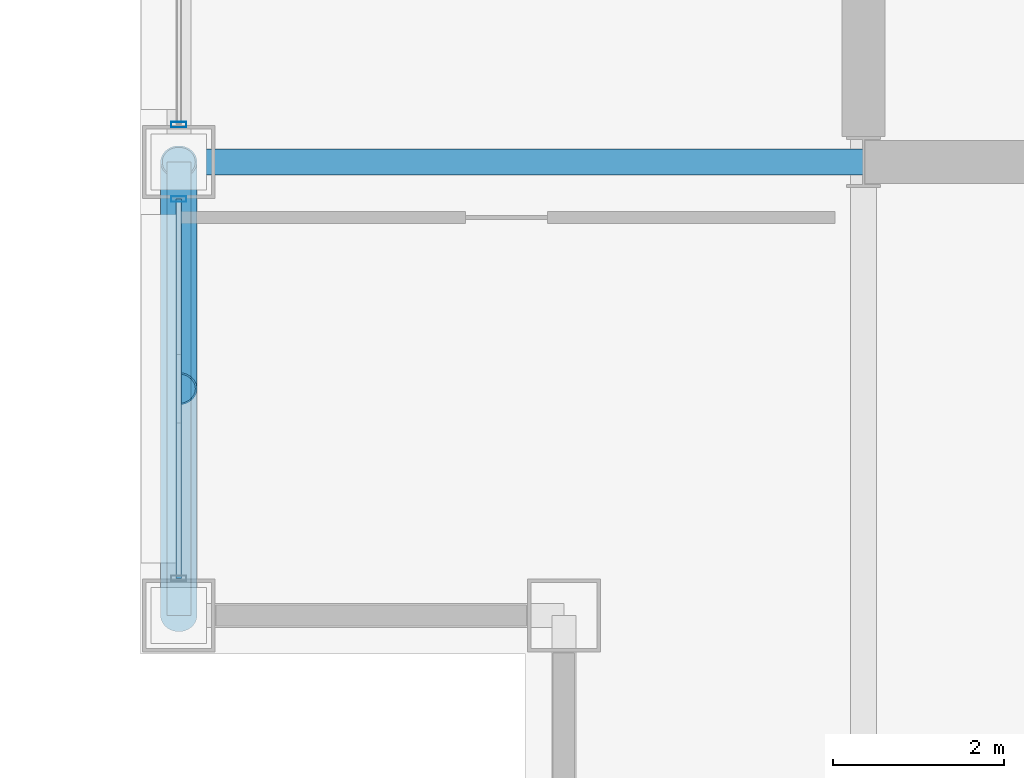
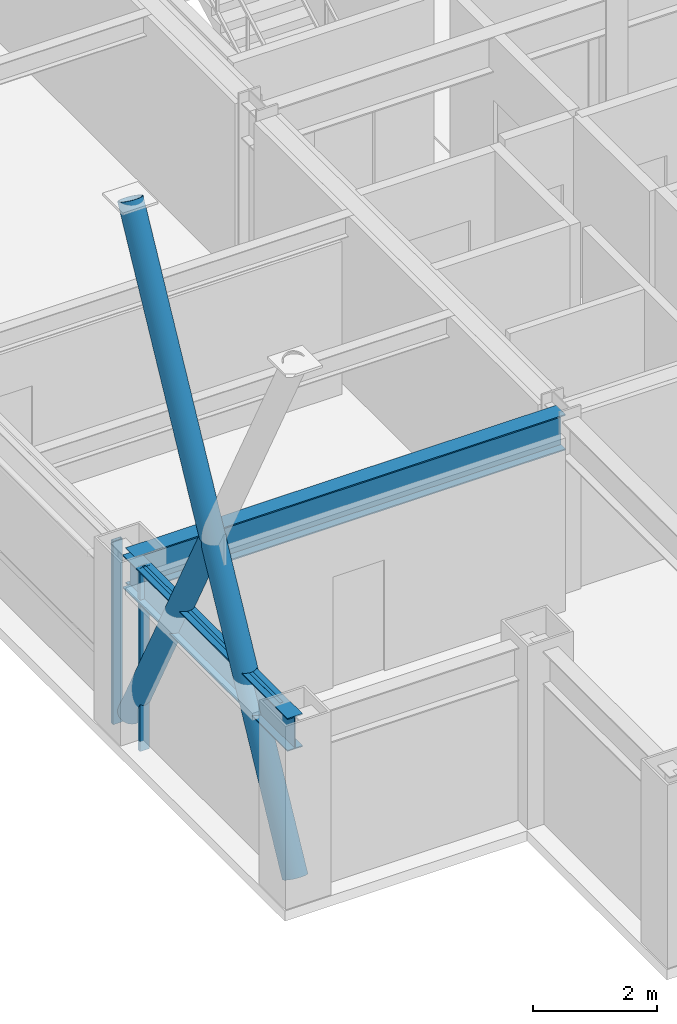
# One storey, part 4 of 34: 5 members, 2 beams, 2 elements without a shape of their own.
"""IFC4 building model written with IfcOpenShell, lengths in metres."""

from ifc_helpers import new_model, si_unit, direction, frame, origin, origin_2d, place, context, subcontext, project, spatial, hollow_rectangle, hollow_circle, i_section, extrude, material, layer, layer_set, material_profile, profile_set, type_object, element, aggregate, save


model = new_model("IFC4")

# Units and contexts
model_context = context("Model", 3, precision=1e-05, world=origin(), true_north=direction((0.0, 1.0)))
body_context = subcontext(model_context, "Body", "Model", "MODEL_VIEW")
ifc_project = project(units=[si_unit("LENGTHUNIT", "METRE"), si_unit("AREAUNIT", "SQUARE_METRE"), si_unit("VOLUMEUNIT", "CUBIC_METRE"), si_unit("PLANEANGLEUNIT", "RADIAN"), si_unit("MASSUNIT", "GRAM", prefix="KILO")], contexts=[model_context])

# Site, building, storey
site_placement = place(None, origin())
site = spatial("IfcSite", under=ifc_project, at=site_placement, CompositionType="ELEMENT")
building_placement = place(site_placement, origin())
building = spatial("IfcBuilding", under=site, at=building_placement, Name="Brelmoor Portico Tower", CompositionType="ELEMENT")
storey_placement = place(building_placement, frame((0.0, 0.0, 99.0)))
storey = spatial("IfcBuildingStorey", under=building, at=storey_placement, Name="L25", CompositionType="ELEMENT", Elevation=99.0)

# Beams
ifc_material_1 = material(Name="Steel Q355B", Category="steel")
ifc_material_profile_1 = material_profile(ifc_material_1, i_section(OverallWidth=0.300048828125, OverallDepth=0.699951171875, WebThickness=0.012939453125, FlangeThickness=0.02392578125, at=origin_2d()), Name="HN 700x300x13x24")
ifc_profile_set_1 = profile_set([ifc_material_profile_1], Name="Steel Q355B")
beam_type_1 = type_object("IfcBeamType", Name="BM-PG-700", PredefinedType="BEAM", material=ifc_profile_set_1)
beam_1_placement = place(storey_placement, frame((-22.550048828125, -9.75, 3.050048828125), z_axis=(1.0, 0.0, 0.0), x_axis=(0.0, 1.0, 0.0)))
element("IfcBeam", 1, at=beam_1_placement, inside=storey, type_object=beam_type_1, Name="L25 Primary Floor Girder PG-14", PredefinedType="BEAM", context=body_context, shape_type="SweptSolid", body=[
    extrude(i_section(OverallWidth=0.300048828125, OverallDepth=0.699951171875, WebThickness=0.012939453125, FlangeThickness=0.02392578125, at=origin_2d()), origin(), (0.0, 0.0, 1.0), 8.0),
])
ifc_material_profile_2 = material_profile(ifc_material_1, i_section(OverallWidth=0.280029296875, OverallDepth=0.64990234375, WebThickness=0.012939453125, FlangeThickness=0.02197265625, at=origin_2d()), Name="HN 650x280x13x22")
ifc_profile_set_2 = profile_set([ifc_material_profile_2], Name="Steel Q355B")
beam_type_2 = type_object("IfcBeamType", Name="BM-SP-650", PredefinedType="SPANDREL", material=ifc_profile_set_2)
beam_2_placement = place(storey_placement, frame((-22.550048828125, -15.050048828125, 3.074951171875), z_axis=(0.0, 1.0, 0.0), x_axis=(-1.0, 0.0, 0.0)))
element("IfcBeam", 2, at=beam_2_placement, inside=storey, type_object=beam_type_2, Name="L25 Perimeter Spandrel Beam SP-15", PredefinedType="SPANDREL", context=body_context, shape_type="SweptSolid", body=[
    extrude(i_section(OverallWidth=0.280029296875, OverallDepth=0.64990234375, WebThickness=0.012939453125, FlangeThickness=0.02197265625, at=origin_2d()), origin(), (0.0, 0.0, 1.0), 5.300048828125),
])

# Members
ifc_material_profile_3 = material_profile(ifc_material_1, hollow_circle(Radius=0.212890625, WallThickness=0.02001953125, at=origin_2d()), Name="CHS 426x20")
ifc_profile_set_3 = profile_set([ifc_material_profile_3], Name="Steel Q355B")
member_type_1 = type_object("IfcMemberType", Name="MB-BELT-DIAG1", PredefinedType="BRACE", material=ifc_profile_set_3)
member_1_placement = place(storey_placement, frame((-22.550048828125, -15.050048828125, 0.25), z_axis=(0.0, 0.464661902242, 0.885488179822), x_axis=(-1.0, 0.0, 0.0)))
element("IfcMember", 3, at=member_1_placement, inside=storey, type_object=member_type_1, Name="L25 Continuous Mega-X Brace 054A", PredefinedType="BRACE", context=body_context, shape_type="SweptSolid", body=[
    extrude(hollow_circle(Radius=0.212890625, WallThickness=0.02001953125, at=origin_2d()), origin(), (0.0, 0.0, 1.0), 11.40625),
])
member_2_placement = place(storey_placement, frame((-22.550048828125, -9.75, 0.25), z_axis=(0.0, -0.464645119255, 0.885496986529), x_axis=(1.0, 0.0, 0.0)))
element("IfcMember", 4, at=member_2_placement, inside=storey, type_object=member_type_1, Name="L25 Split Mega-X Brace 054B1", PredefinedType="BRACE", context=body_context, shape_type="SweptSolid", body=[
    extrude(hollow_circle(Radius=0.212890625, WallThickness=0.02001953125, at=origin_2d()), origin(), (0.0, 0.0, 1.0), 5.703125),
])

# Curtain wall, member
ifc_material_2 = material(Name="Anodised Aluminium Alloy 6063-T6", Category="aluminium")
ifc_layer_1 = layer(ifc_material_2, 0.179931640625)
ifc_layer_set_1 = layer_set([ifc_layer_1], Name="Anodised Aluminium Alloy 6063-T6")
curtain_wall_type_1 = type_object("IfcCurtainWallType", Name="CW-TOWER-Z2-XB", PredefinedType="NOTDEFINED", material=ifc_layer_set_1)
curtain_wall_1_placement = place(storey_placement, origin())
curtain_wall_1 = element("IfcCurtainWall", 5, at=curtain_wall_1_placement, inside=storey, type_object=curtain_wall_type_1, Name="L25 Curtain Wall CW-L25-3L-1", PredefinedType="NOTDEFINED")
ifc_material_profile_4 = material_profile(ifc_material_2, hollow_rectangle(XDim=0.06494140625, YDim=0.179931640625, WallThickness=0.00390625, at=origin_2d()), Name="ALU MULLION 65x180")
ifc_profile_set_4 = profile_set([ifc_material_profile_4], Name="Anodised Aluminium Alloy 6063-T6")
member_type_2 = type_object("IfcMemberType", Name="MB-CW-MULL-180", PredefinedType="MULLION", material=ifc_profile_set_4)
member_3_placement = place(storey_placement, frame((-22.550048828125, -10.18505859375, -0.199951171875), z_axis=(0.0, 0.0, 1.0), x_axis=(0.0, 1.0, 0.0)))
member_3 = element("IfcMember", 6, at=member_3_placement, type_object=member_type_2, Name="CW-L25-3L-1 Mullion 01", PredefinedType="MULLION", context=body_context, shape_type="SweptSolid", body=[
    extrude(hollow_rectangle(XDim=0.06494140625, YDim=0.179931640625, WallThickness=0.00390625, at=origin_2d()), origin(), (0.0, 0.0, 1.0), 3.599853515625),
])

ifc_layer_2 = layer(ifc_material_2, 0.179931640625)
ifc_layer_set_2 = layer_set([ifc_layer_2], Name="Anodised Aluminium Alloy 6063-T6")
curtain_wall_type_2 = type_object("IfcCurtainWallType", Name="CW-TOWER-Z2", PredefinedType="NOTDEFINED", material=ifc_layer_set_2)
curtain_wall_2_placement = place(storey_placement, origin())
curtain_wall_2 = element("IfcCurtainWall", 7, at=curtain_wall_2_placement, inside=storey, type_object=curtain_wall_type_2, Name="L25 Curtain Wall CW-L25-3L-2", PredefinedType="NOTDEFINED")
member_4_placement = place(storey_placement, frame((-22.550048828125, -9.31494140625, -0.199951171875), z_axis=(0.0, 0.0, 1.0), x_axis=(0.0, 1.0, 0.0)))
member_4 = element("IfcMember", 8, at=member_4_placement, type_object=member_type_2, Name="CW-L25-3L-2 Mullion 00", PredefinedType="MULLION", context=body_context, shape_type="SweptSolid", body=[
    extrude(hollow_rectangle(XDim=0.06494140625, YDim=0.179931640625, WallThickness=0.00390625, at=origin_2d()), origin(), (0.0, 0.0, 1.0), 3.599853515625),
])
aggregate(curtain_wall_2, [member_4])

# Member
ifc_material_profile_5 = material_profile(ifc_material_2, hollow_rectangle(XDim=0.06494140625, YDim=0.139892578125, WallThickness=0.00390625, at=origin_2d()), Name="ALU TRANSOM 65x140")
ifc_profile_set_5 = profile_set([ifc_material_profile_5], Name="Anodised Aluminium Alloy 6063-T6")
member_type_3 = type_object("IfcMemberType", Name="MB-CW-TRAN-140", PredefinedType="USERDEFINED", material=ifc_profile_set_5)
member_5_placement = place(storey_placement, frame((-22.550048828125, -14.614990234375, 3.330078125), z_axis=(0.0, 1.0, 0.0), x_axis=(-1.0, 0.0, 0.0)))
member_5 = element("IfcMember", 9, at=member_5_placement, type_object=member_type_3, Name="CW-L25-3L-1 Transom 1-00", ObjectType="TRANSOM", PredefinedType="USERDEFINED", context=body_context, shape_type="SweptSolid", body=[
    extrude(hollow_rectangle(XDim=0.06494140625, YDim=0.139892578125, WallThickness=0.00390625, at=origin_2d()), origin(), (0.0, 0.0, 1.0), 4.429931640625),
])

aggregate(curtain_wall_1, [member_3, member_5])

save(model, "model.ifc")
